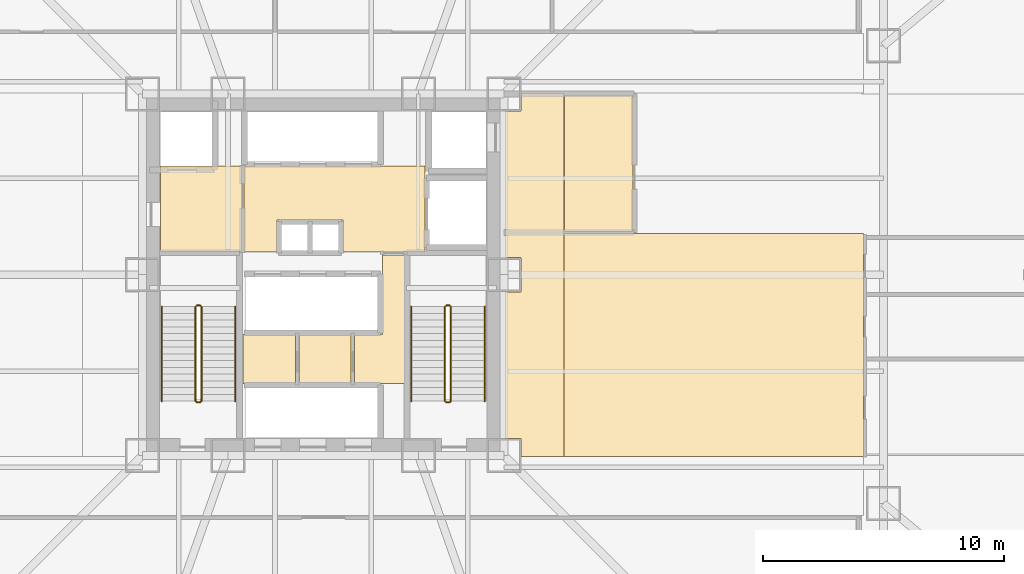
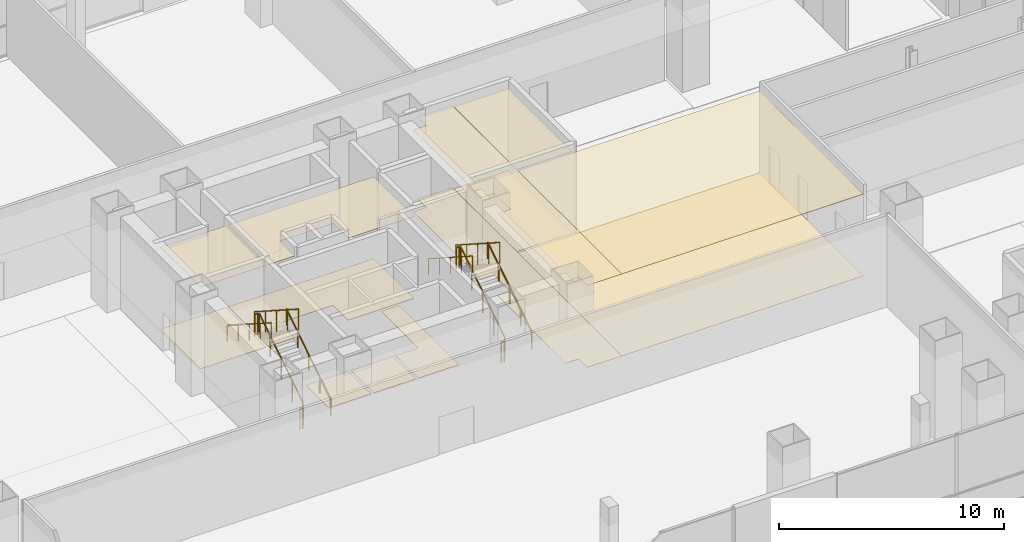
# One storey, part 28 of 35: 13 coverings, 12 railings.
"""IFC4 building model written with IfcOpenShell, lengths in metres."""

from ifc_helpers import new_model, si_unit, direction, frame, origin, origin_2d, place, context, subcontext, project, spatial, polyline, circle, outline, extrude, material, layer, layer_set, type_object, element, save


model = new_model("IFC4")

# Units and contexts
model_context = context("Model", 3, precision=1e-05, world=origin(), true_north=direction((0.0, 1.0)))
body_context = subcontext(model_context, "Body", "Model", "MODEL_VIEW")
ifc_project = project(units=[si_unit("LENGTHUNIT", "METRE"), si_unit("AREAUNIT", "SQUARE_METRE"), si_unit("VOLUMEUNIT", "CUBIC_METRE"), si_unit("PLANEANGLEUNIT", "RADIAN"), si_unit("MASSUNIT", "GRAM", prefix="KILO")], contexts=[model_context])

# Site, building, storey
site_placement = place(None, origin())
site = spatial("IfcSite", under=ifc_project, at=site_placement, CompositionType="ELEMENT")
building_placement = place(site_placement, origin())
building = spatial("IfcBuilding", under=site, at=building_placement, Name="Trevonay Congress Spire", CompositionType="ELEMENT")
storey_placement = place(building_placement, frame((0.0, 0.0, 10.800048828125)))
storey = spatial("IfcBuildingStorey", under=building, at=storey_placement, Name="L02", CompositionType="ELEMENT", Elevation=10.800048828125)

# Coverings
ifc_material_1 = material(Name="Acoustic Mineral Fibre Board", Category="gypsum")
ifc_layer_1 = layer(ifc_material_1, 0.02490234375, Name="Acoustic Mineral Fibre Board")
ifc_layer_set_1 = layer_set([ifc_layer_1], Name="Acoustic Mineral Fibre Board")
covering_type_1 = type_object("IfcCoveringType", Name="COV-CEIL-ACOUSTIC", PredefinedType="CEILING", material=ifc_layer_set_1)
covering_1_placement = place(storey_placement, frame((0.0, 0.0, 4.449951171875)))
element("IfcCovering", 1, at=covering_1_placement, inside=storey, type_object=covering_type_1, Name="L02 Firefighting Lift Lobby West acoustic suspended ceiling", PredefinedType="CEILING", context=body_context, shape_type="SweptSolid", body=[
    extrude(outline(polyline([(-6.75, 0.9599609375), (-3.3798828125, 0.9599609375), (-3.3798828125, 4.52001953125), (-6.75, 4.52001953125), (-6.75, 0.9599609375)])), origin(), (0.0, 0.0, 1.0), 0.02490234375),
])
covering_2_placement = place(storey_placement, frame((0.0, 0.0, 4.449951171875)))
element("IfcCovering", 2, at=covering_2_placement, inside=storey, type_object=covering_type_1, Name="L02 Central and High-Rise Passenger Lift Lobby acoustic suspended ceiling", PredefinedType="CEILING", context=body_context, shape_type="SweptSolid", body=[
    extrude(outline(polyline([(-3.280029296875, 0.949951171875), (-1.919921875, 0.949951171875), (-1.919921875, 2.280029296875), (0.820068359375, 2.280029296875), (0.820068359375, 0.949951171875), (4.219970703125, 0.949951171875), (4.219970703125, 4.52001953125), (-3.280029296875, 4.52001953125), (-3.280029296875, 0.949951171875)])), origin(), (0.0, 0.0, 1.0), 0.02490234375),
])
covering_3_placement = place(storey_placement, frame((0.0, 0.0, 4.449951171875)))
element("IfcCovering", 3, at=covering_3_placement, inside=storey, type_object=covering_type_1, Name="L02 L02 Grand Concourse East acoustic suspended ceiling", PredefinedType="CEILING", context=body_context, shape_type="SweptSolid", body=[
    extrude(outline(polyline([(10.0, -7.550048828125), (8.2099609375, -7.550048828125), (8.2099609375, -6.7900390625), (7.550048828125, -6.7900390625), (7.550048828125, -0.7099609375), (8.2099609375, -0.7099609375), (8.2099609375, 0.7099609375), (7.550048828125, 0.7099609375), (7.550048828125, 6.7900390625), (8.2099609375, 6.7900390625), (8.2099609375, 7.550048828125), (10.0, 7.550048828125), (10.0, -7.550048828125)])), origin(), (0.0, 0.0, 1.0), 0.02490234375),
])
covering_4_placement = place(storey_placement, frame((0.0, 0.0, 4.449951171875)))
element("IfcCovering", 4, at=covering_4_placement, inside=storey, type_object=covering_type_1, Name="L02 L02 East Concourse Foyer acoustic suspended ceiling", PredefinedType="CEILING", context=body_context, shape_type="SweptSolid", body=[
    extrude(outline(polyline([(10.0, -7.550048828125), (10.0, 1.699951171875), (22.419921875, 1.699951171875), (22.419921875, -7.550048828125), (10.0, -7.550048828125)])), origin(), (0.0, 0.0, 1.0), 0.02490234375),
])
covering_5_placement = place(storey_placement, frame((0.0, 0.0, 4.449951171875)))
element("IfcCovering", 5, at=covering_5_placement, inside=storey, type_object=covering_type_1, Name="L02 Firefighting Lift Lobby East acoustic suspended ceiling", PredefinedType="CEILING", context=body_context, shape_type="SweptSolid", body=[
    extrude(outline(polyline([(12.85009765625, 1.800048828125), (10.010009765625, 1.800048828125), (10.010009765625, 7.449951171875), (12.85009765625, 7.449951171875), (12.85009765625, 1.800048828125)])), origin(), (0.0, 0.0, 1.0), 0.02490234375),
])
ifc_material_2 = material(Name="Polished Granite Floor Tile", Category="masonry")
ifc_layer_2 = layer(ifc_material_2, 0.02001953125, Name="Polished Granite Floor Tile")
ifc_layer_set_2 = layer_set([ifc_layer_2], Name="Polished Granite Floor Tile")
covering_type_2 = type_object("IfcCoveringType", Name="COV-FLOOR-STONE", PredefinedType="FLOORING", material=ifc_layer_set_2)
covering_6_placement = place(storey_placement, origin())
element("IfcCovering", 6, at=covering_6_placement, inside=storey, type_object=covering_type_2, Name="L02 Firefighting Lift Lobby West floor finish", PredefinedType="FLOORING", context=body_context, shape_type="SweptSolid", body=[
    extrude(outline(polyline([(-6.75, 0.9599609375), (-3.3798828125, 0.9599609375), (-3.3798828125, 4.52001953125), (-6.75, 4.52001953125), (-6.75, 0.9599609375)])), origin(), (0.0, 0.0, 1.0), 0.02001953125),
])
covering_7_placement = place(storey_placement, origin())
element("IfcCovering", 7, at=covering_7_placement, inside=storey, type_object=covering_type_2, Name="L02 Central and High-Rise Passenger Lift Lobby floor finish", PredefinedType="FLOORING", context=body_context, shape_type="SweptSolid", body=[
    extrude(outline(polyline([(-3.280029296875, 0.949951171875), (-1.919921875, 0.949951171875), (-1.919921875, 2.280029296875), (0.820068359375, 2.280029296875), (0.820068359375, 0.949951171875), (4.219970703125, 0.949951171875), (4.219970703125, 4.52001953125), (-3.280029296875, 4.52001953125), (-3.280029296875, 0.949951171875)])), origin(), (0.0, 0.0, 1.0), 0.02001953125),
])
covering_8_placement = place(storey_placement, origin())
element("IfcCovering", 8, at=covering_8_placement, inside=storey, type_object=covering_type_2, Name="L02 Floor IT Patch Room floor finish", PredefinedType="FLOORING", context=body_context, shape_type="SweptSolid", body=[
    extrude(outline(polyline([(-3.320068359375, -4.52001953125), (-1.14990234375, -4.52001953125), (-1.14990234375, -2.47998046875), (-3.320068359375, -2.47998046875), (-3.320068359375, -4.52001953125)])), origin(), (0.0, 0.0, 1.0), 0.02001953125),
])
covering_9_placement = place(storey_placement, origin())
element("IfcCovering", 9, at=covering_9_placement, inside=storey, type_object=covering_type_2, Name="L02 Janitor Store floor finish", PredefinedType="FLOORING", context=body_context, shape_type="SweptSolid", body=[
    extrude(outline(polyline([(-1.0, -4.52001953125), (1.14990234375, -4.52001953125), (1.14990234375, -2.47998046875), (-1.0, -2.47998046875), (-1.0, -4.52001953125)])), origin(), (0.0, 0.0, 1.0), 0.02001953125),
])
covering_10_placement = place(storey_placement, origin())
element("IfcCovering", 10, at=covering_10_placement, inside=storey, type_object=covering_type_2, Name="L02 Core Metering Room floor finish", PredefinedType="FLOORING", context=body_context, shape_type="SweptSolid", body=[
    extrude(outline(polyline([(1.300048828125, -4.52001953125), (3.3798828125, -4.52001953125), (3.3798828125, 0.820068359375), (2.4599609375, 0.820068359375), (2.4599609375, -2.47998046875), (1.300048828125, -2.47998046875), (1.300048828125, -4.52001953125)])), origin(), (0.0, 0.0, 1.0), 0.02001953125),
])
covering_11_placement = place(storey_placement, origin())
element("IfcCovering", 11, at=covering_11_placement, inside=storey, type_object=covering_type_2, Name="L02 L02 Grand Concourse East floor finish", PredefinedType="FLOORING", context=body_context, shape_type="SweptSolid", body=[
    extrude(outline(polyline([(10.0, -7.550048828125), (8.2099609375, -7.550048828125), (8.2099609375, -6.7900390625), (7.550048828125, -6.7900390625), (7.550048828125, -0.7099609375), (8.2099609375, -0.7099609375), (8.2099609375, 0.7099609375), (7.550048828125, 0.7099609375), (7.550048828125, 6.7900390625), (8.2099609375, 6.7900390625), (8.2099609375, 7.550048828125), (10.0, 7.550048828125), (10.0, -7.550048828125)])), origin(), (0.0, 0.0, 1.0), 0.02001953125),
])
covering_12_placement = place(storey_placement, origin())
element("IfcCovering", 12, at=covering_12_placement, inside=storey, type_object=covering_type_2, Name="L02 L02 East Concourse Foyer floor finish", PredefinedType="FLOORING", context=body_context, shape_type="SweptSolid", body=[
    extrude(outline(polyline([(10.0, -7.550048828125), (10.0, 1.699951171875), (22.419921875, 1.699951171875), (22.419921875, -7.550048828125), (10.0, -7.550048828125)])), origin(), (0.0, 0.0, 1.0), 0.02001953125),
])
covering_13_placement = place(storey_placement, origin())
element("IfcCovering", 13, at=covering_13_placement, inside=storey, type_object=covering_type_2, Name="L02 Firefighting Lift Lobby East floor finish", PredefinedType="FLOORING", context=body_context, shape_type="SweptSolid", body=[
    extrude(outline(polyline([(12.85009765625, 1.800048828125), (10.010009765625, 1.800048828125), (10.010009765625, 7.449951171875), (12.85009765625, 7.449951171875), (12.85009765625, 1.800048828125)])), origin(), (0.0, 0.0, 1.0), 0.02001953125),
])

# Railings
ifc_material_3 = material(Name="Pale Anodised Aluminium EN AW-6063-T6", Category="aluminium")
railing_type_1 = type_object("IfcRailingType", Name="RAL-STAIR-GUARD-110", PredefinedType="GUARDRAIL", material=ifc_material_3)
railing_1_placement = place(storey_placement, frame((-5.050048828125, -5.25, 0.179931640625)))
element("IfcRailing", 14, at=railing_1_placement, inside=storey, type_object=railing_type_1, Name="L02 ST-1 stair guard 1", PredefinedType="GUARDRAIL", context=body_context, shape_type="SweptSolid", body=[
    extrude(circle(Radius=0.02392578125, at=origin_2d()), frame((0.0, 0.0, 1.1259765625), z_axis=(0.0, 0.841171666519, 0.540768182723), x_axis=(-1.0, 0.0, 0.0)), (0.0, 0.0, 1.0), 4.66015625),
    extrude(circle(Radius=0.02099609375, at=origin_2d()), origin(), (0.0, 0.0, 1.0), 1.101806640625),
    extrude(circle(Radius=0.02099609375, at=origin_2d()), frame((0.0, 0.97998046875, 0.6298828125)), (0.0, 0.0, 1.0), 1.101806640625),
    extrude(circle(Radius=0.02099609375, at=origin_2d()), frame((0.0, 1.9599609375, 1.260009765625)), (0.0, 0.0, 1.0), 1.101806640625),
    extrude(circle(Radius=0.02099609375, at=origin_2d()), frame((0.0, 2.93994140625, 1.89013671875)), (0.0, 0.0, 1.0), 1.101806640625),
    extrude(circle(Radius=0.02099609375, at=origin_2d()), frame((0.0, 3.919921875, 2.52001953125)), (0.0, 0.0, 1.0), 1.101806640625),
])
railing_2_placement = place(storey_placement, frame((-5.10009765625, -1.280029296875, 2.699951171875)))
element("IfcRailing", 15, at=railing_2_placement, inside=storey, type_object=railing_type_1, Name="L02 ST-1 stair guard 2", PredefinedType="GUARDRAIL", context=body_context, shape_type="SweptSolid", body=[
    extrude(circle(Radius=0.02392578125, at=origin_2d()), frame((0.0, 0.0, 1.1259765625), z_axis=(-1.0, 0.0, 0.0), x_axis=(0.0, -1.0, 0.0)), (0.0, 0.0, 1.0), 0.14990234375),
    extrude(circle(Radius=0.02099609375, at=origin_2d()), origin(), (0.0, 0.0, 1.0), 1.101806640625),
    extrude(circle(Radius=0.02099609375, at=origin_2d()), frame((-0.14990234375, 0.0, 0.0)), (0.0, 0.0, 1.0), 1.101806640625),
])
railing_3_placement = place(storey_placement, frame((-5.300048828125, -1.330078125, 2.8798828125)))
element("IfcRailing", 16, at=railing_3_placement, inside=storey, type_object=railing_type_1, Name="L02 ST-1 stair guard 3", PredefinedType="GUARDRAIL", context=body_context, shape_type="SweptSolid", body=[
    extrude(circle(Radius=0.02392578125, at=origin_2d()), frame((0.0, 0.0, 1.1259765625), z_axis=(0.0, -0.841171666519, 0.540768182723), x_axis=(1.0, 0.0, 0.0)), (0.0, 0.0, 1.0), 4.66015625),
    extrude(circle(Radius=0.02099609375, at=origin_2d()), origin(), (0.0, 0.0, 1.0), 1.101806640625),
    extrude(circle(Radius=0.02099609375, at=origin_2d()), frame((0.0, -0.97998046875, 0.6298828125)), (0.0, 0.0, 1.0), 1.101806640625),
    extrude(circle(Radius=0.02099609375, at=origin_2d()), frame((0.0, -1.9599609375, 1.260009765625)), (0.0, 0.0, 1.0), 1.101806640625),
    extrude(circle(Radius=0.02099609375, at=origin_2d()), frame((0.0, -2.93994140625, 1.89013671875)), (0.0, 0.0, 1.0), 1.101806640625),
    extrude(circle(Radius=0.02099609375, at=origin_2d()), frame((0.0, -3.919921875, 2.52001953125)), (0.0, 0.0, 1.0), 1.101806640625),
])
railing_4_placement = place(storey_placement, frame((-5.10009765625, -5.300048828125, 0.0)))
element("IfcRailing", 17, at=railing_4_placement, inside=storey, type_object=railing_type_1, Name="L02 ST-1 stair guard 4", PredefinedType="GUARDRAIL", context=body_context, shape_type="SweptSolid", body=[
    extrude(circle(Radius=0.02392578125, at=origin_2d()), frame((0.0, 0.0, 1.1259765625), z_axis=(-1.0, 0.0, 0.0), x_axis=(0.0, -1.0, 0.0)), (0.0, 0.0, 1.0), 0.14990234375),
    extrude(circle(Radius=0.02099609375, at=origin_2d()), origin(), (0.0, 0.0, 1.0), 1.101806640625),
    extrude(circle(Radius=0.02099609375, at=origin_2d()), frame((-0.14990234375, 0.0, 0.0)), (0.0, 0.0, 1.0), 1.101806640625),
])
railing_5_placement = place(storey_placement, frame((5.300048828125, -5.25, 0.179931640625)))
element("IfcRailing", 18, at=railing_5_placement, inside=storey, type_object=railing_type_1, Name="L02 ST-2 stair guard 1", PredefinedType="GUARDRAIL", context=body_context, shape_type="SweptSolid", body=[
    extrude(circle(Radius=0.02392578125, at=origin_2d()), frame((0.0, 0.0, 1.1259765625), z_axis=(0.0, 0.841171666519, 0.540768182723), x_axis=(-1.0, 0.0, 0.0)), (0.0, 0.0, 1.0), 4.66015625),
    extrude(circle(Radius=0.02099609375, at=origin_2d()), origin(), (0.0, 0.0, 1.0), 1.101806640625),
    extrude(circle(Radius=0.02099609375, at=origin_2d()), frame((0.0, 0.97998046875, 0.6298828125)), (0.0, 0.0, 1.0), 1.101806640625),
    extrude(circle(Radius=0.02099609375, at=origin_2d()), frame((0.0, 1.9599609375, 1.260009765625)), (0.0, 0.0, 1.0), 1.101806640625),
    extrude(circle(Radius=0.02099609375, at=origin_2d()), frame((0.0, 2.93994140625, 1.89013671875)), (0.0, 0.0, 1.0), 1.101806640625),
    extrude(circle(Radius=0.02099609375, at=origin_2d()), frame((0.0, 3.919921875, 2.52001953125)), (0.0, 0.0, 1.0), 1.101806640625),
])
railing_6_placement = place(storey_placement, frame((5.25, -1.280029296875, 2.699951171875)))
element("IfcRailing", 19, at=railing_6_placement, inside=storey, type_object=railing_type_1, Name="L02 ST-2 stair guard 2", PredefinedType="GUARDRAIL", context=body_context, shape_type="SweptSolid", body=[
    extrude(circle(Radius=0.02392578125, at=origin_2d()), frame((0.0, 0.0, 1.1259765625), z_axis=(-1.0, 0.0, 0.0), x_axis=(0.0, -1.0, 0.0)), (0.0, 0.0, 1.0), 0.14990234375),
    extrude(circle(Radius=0.02099609375, at=origin_2d()), origin(), (0.0, 0.0, 1.0), 1.101806640625),
    extrude(circle(Radius=0.02099609375, at=origin_2d()), frame((-0.14990234375, 0.0, 0.0)), (0.0, 0.0, 1.0), 1.101806640625),
])
railing_7_placement = place(storey_placement, frame((5.050048828125, -1.330078125, 2.8798828125)))
element("IfcRailing", 20, at=railing_7_placement, inside=storey, type_object=railing_type_1, Name="L02 ST-2 stair guard 3", PredefinedType="GUARDRAIL", context=body_context, shape_type="SweptSolid", body=[
    extrude(circle(Radius=0.02392578125, at=origin_2d()), frame((0.0, 0.0, 1.1259765625), z_axis=(0.0, -0.841171666519, 0.540768182723), x_axis=(1.0, 0.0, 0.0)), (0.0, 0.0, 1.0), 4.66015625),
    extrude(circle(Radius=0.02099609375, at=origin_2d()), origin(), (0.0, 0.0, 1.0), 1.101806640625),
    extrude(circle(Radius=0.02099609375, at=origin_2d()), frame((0.0, -0.97998046875, 0.6298828125)), (0.0, 0.0, 1.0), 1.101806640625),
    extrude(circle(Radius=0.02099609375, at=origin_2d()), frame((0.0, -1.9599609375, 1.260009765625)), (0.0, 0.0, 1.0), 1.101806640625),
    extrude(circle(Radius=0.02099609375, at=origin_2d()), frame((0.0, -2.93994140625, 1.89013671875)), (0.0, 0.0, 1.0), 1.101806640625),
    extrude(circle(Radius=0.02099609375, at=origin_2d()), frame((0.0, -3.919921875, 2.52001953125)), (0.0, 0.0, 1.0), 1.101806640625),
])
railing_8_placement = place(storey_placement, frame((5.25, -5.300048828125, 0.0)))
element("IfcRailing", 21, at=railing_8_placement, inside=storey, type_object=railing_type_1, Name="L02 ST-2 stair guard 4", PredefinedType="GUARDRAIL", context=body_context, shape_type="SweptSolid", body=[
    extrude(circle(Radius=0.02392578125, at=origin_2d()), frame((0.0, 0.0, 1.1259765625), z_axis=(-1.0, 0.0, 0.0), x_axis=(0.0, -1.0, 0.0)), (0.0, 0.0, 1.0), 0.14990234375),
    extrude(circle(Radius=0.02099609375, at=origin_2d()), origin(), (0.0, 0.0, 1.0), 1.101806640625),
    extrude(circle(Radius=0.02099609375, at=origin_2d()), frame((-0.14990234375, 0.0, 0.0)), (0.0, 0.0, 1.0), 1.101806640625),
])
railing_type_2 = type_object("IfcRailingType", Name="RAL-STAIR-HANDRAIL", PredefinedType="HANDRAIL", material=ifc_material_3)
railing_9_placement = place(storey_placement, frame((-3.64990234375, -5.25, 0.179931640625)))
element("IfcRailing", 22, at=railing_9_placement, inside=storey, type_object=railing_type_2, Name="L02 ST-1 stair handrail 1", PredefinedType="HANDRAIL", context=body_context, shape_type="SweptSolid", body=[
    extrude(circle(Radius=0.02392578125, at=origin_2d()), frame((0.0, 0.0, 0.8759765625), z_axis=(0.0, 0.841171666519, 0.540768182723), x_axis=(-1.0, 0.0, 0.0)), (0.0, 0.0, 1.0), 4.66015625),
    extrude(circle(Radius=0.02099609375, at=origin_2d()), origin(), (0.0, 0.0, 1.0), 0.851806640625),
    extrude(circle(Radius=0.02099609375, at=origin_2d()), frame((0.0, 0.97998046875, 0.6298828125)), (0.0, 0.0, 1.0), 0.851806640625),
    extrude(circle(Radius=0.02099609375, at=origin_2d()), frame((0.0, 1.9599609375, 1.260009765625)), (0.0, 0.0, 1.0), 0.851806640625),
    extrude(circle(Radius=0.02099609375, at=origin_2d()), frame((0.0, 2.93994140625, 1.89013671875)), (0.0, 0.0, 1.0), 0.851806640625),
    extrude(circle(Radius=0.02099609375, at=origin_2d()), frame((0.0, 3.919921875, 2.52001953125)), (0.0, 0.0, 1.0), 0.851806640625),
])
railing_10_placement = place(storey_placement, frame((-6.699951171875, -1.330078125, 2.8798828125)))
element("IfcRailing", 23, at=railing_10_placement, inside=storey, type_object=railing_type_2, Name="L02 ST-1 stair handrail 2", PredefinedType="HANDRAIL", context=body_context, shape_type="SweptSolid", body=[
    extrude(circle(Radius=0.02392578125, at=origin_2d()), frame((0.0, 0.0, 0.8759765625), z_axis=(0.0, -0.841171666519, 0.540768182723), x_axis=(1.0, 0.0, 0.0)), (0.0, 0.0, 1.0), 4.66015625),
    extrude(circle(Radius=0.02099609375, at=origin_2d()), origin(), (0.0, 0.0, 1.0), 0.851806640625),
    extrude(circle(Radius=0.02099609375, at=origin_2d()), frame((0.0, -0.97998046875, 0.6298828125)), (0.0, 0.0, 1.0), 0.851806640625),
    extrude(circle(Radius=0.02099609375, at=origin_2d()), frame((0.0, -1.9599609375, 1.260009765625)), (0.0, 0.0, 1.0), 0.851806640625),
    extrude(circle(Radius=0.02099609375, at=origin_2d()), frame((0.0, -2.93994140625, 1.89013671875)), (0.0, 0.0, 1.0), 0.851806640625),
    extrude(circle(Radius=0.02099609375, at=origin_2d()), frame((0.0, -3.919921875, 2.52001953125)), (0.0, 0.0, 1.0), 0.851806640625),
])
railing_11_placement = place(storey_placement, frame((6.699951171875, -5.25, 0.179931640625)))
element("IfcRailing", 24, at=railing_11_placement, inside=storey, type_object=railing_type_2, Name="L02 ST-2 stair handrail 1", PredefinedType="HANDRAIL", context=body_context, shape_type="SweptSolid", body=[
    extrude(circle(Radius=0.02392578125, at=origin_2d()), frame((0.0, 0.0, 0.8759765625), z_axis=(0.0, 0.841171666519, 0.540768182723), x_axis=(-1.0, 0.0, 0.0)), (0.0, 0.0, 1.0), 4.66015625),
    extrude(circle(Radius=0.02099609375, at=origin_2d()), origin(), (0.0, 0.0, 1.0), 0.851806640625),
    extrude(circle(Radius=0.02099609375, at=origin_2d()), frame((0.0, 0.97998046875, 0.6298828125)), (0.0, 0.0, 1.0), 0.851806640625),
    extrude(circle(Radius=0.02099609375, at=origin_2d()), frame((0.0, 1.9599609375, 1.260009765625)), (0.0, 0.0, 1.0), 0.851806640625),
    extrude(circle(Radius=0.02099609375, at=origin_2d()), frame((0.0, 2.93994140625, 1.89013671875)), (0.0, 0.0, 1.0), 0.851806640625),
    extrude(circle(Radius=0.02099609375, at=origin_2d()), frame((0.0, 3.919921875, 2.52001953125)), (0.0, 0.0, 1.0), 0.851806640625),
])
railing_12_placement = place(storey_placement, frame((3.64990234375, -1.330078125, 2.8798828125)))
element("IfcRailing", 25, at=railing_12_placement, inside=storey, type_object=railing_type_2, Name="L02 ST-2 stair handrail 2", PredefinedType="HANDRAIL", context=body_context, shape_type="SweptSolid", body=[
    extrude(circle(Radius=0.02392578125, at=origin_2d()), frame((0.0, 0.0, 0.8759765625), z_axis=(0.0, -0.841171666519, 0.540768182723), x_axis=(1.0, 0.0, 0.0)), (0.0, 0.0, 1.0), 4.66015625),
    extrude(circle(Radius=0.02099609375, at=origin_2d()), origin(), (0.0, 0.0, 1.0), 0.851806640625),
    extrude(circle(Radius=0.02099609375, at=origin_2d()), frame((0.0, -0.97998046875, 0.6298828125)), (0.0, 0.0, 1.0), 0.851806640625),
    extrude(circle(Radius=0.02099609375, at=origin_2d()), frame((0.0, -1.9599609375, 1.260009765625)), (0.0, 0.0, 1.0), 0.851806640625),
    extrude(circle(Radius=0.02099609375, at=origin_2d()), frame((0.0, -2.93994140625, 1.89013671875)), (0.0, 0.0, 1.0), 0.851806640625),
    extrude(circle(Radius=0.02099609375, at=origin_2d()), frame((0.0, -3.919921875, 2.52001953125)), (0.0, 0.0, 1.0), 0.851806640625),
])

save(model, "model.ifc")
